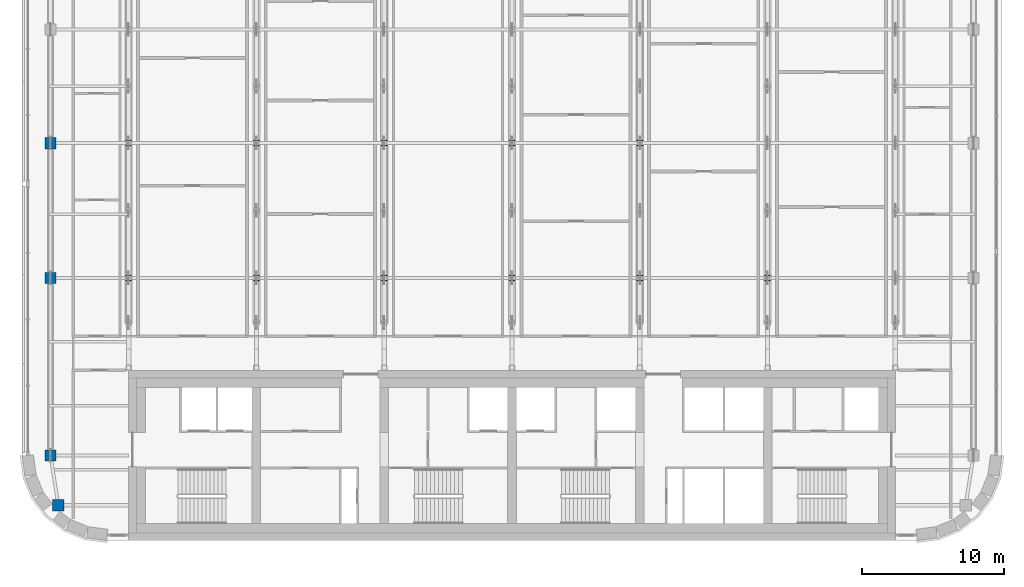
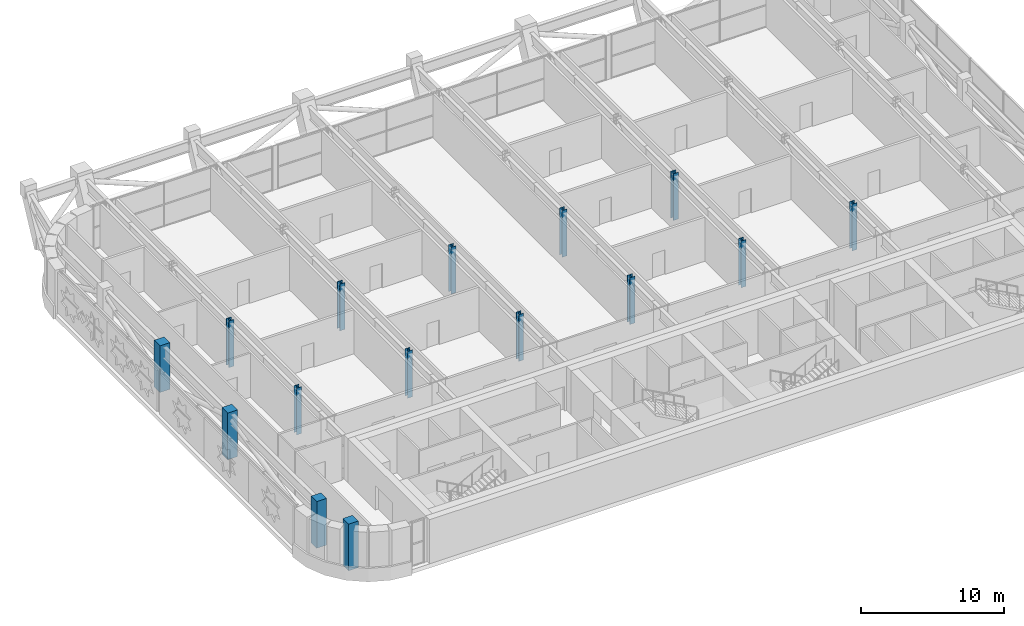
# One storey, part 1 of 28: 15 columns.
"""IFC4 building model written with IfcOpenShell, lengths in metres."""

from ifc_helpers import new_model, si_unit, direction, frame, origin, origin_2d, place, context, subcontext, project, spatial, rectangle, i_section, extrude, material, material_profile, profile_set, type_object, element, save


model = new_model("IFC4")

# Units and contexts
model_context = context("Model", 3, precision=1e-05, world=origin(), true_north=direction((0.0, 1.0)))
body_context = subcontext(model_context, "Body", "Model", "MODEL_VIEW")
ifc_project = project(units=[si_unit("LENGTHUNIT", "METRE"), si_unit("AREAUNIT", "SQUARE_METRE"), si_unit("VOLUMEUNIT", "CUBIC_METRE"), si_unit("PLANEANGLEUNIT", "RADIAN"), si_unit("MASSUNIT", "GRAM", prefix="KILO")], contexts=[model_context])

# Site, building, storey
site_placement = place(None, origin())
site = spatial("IfcSite", under=ifc_project, at=site_placement, CompositionType="ELEMENT")
building_placement = place(site_placement, origin())
building = spatial("IfcBuilding", under=site, at=building_placement, Name="Zellij Exchange Tower", CompositionType="ELEMENT")
storey_placement = place(building_placement, frame((0.0, 0.0, 268.5)))
storey = spatial("IfcBuildingStorey", under=building, at=storey_placement, Name="L63", CompositionType="ELEMENT", Elevation=268.5)

# Columns
ifc_material_1 = material(Name="Concrete C50/60", Category="concrete")
ifc_material_profile_1 = material_profile(ifc_material_1, rectangle(XDim=0.800048828125, YDim=0.800048828125, at=origin_2d()), Name="STR-COLUMN RC800x800 C50/60")
ifc_profile_set_1 = profile_set([ifc_material_profile_1], Name="Concrete C50/60")
column_type_1 = type_object("IfcColumnType", Name="STR-COLUMN RC800x800 C50/60", PredefinedType="COLUMN", material=ifc_profile_set_1)
for number, where, z_axis, x_axis, name in (
    (1, (-31.949951171875, -11.5, 0.0), (0.0, 0.0, 1.0), (1.0, 0.0, 0.0), "C15"),
    (2, (-32.5, -8.0, 0.0), (0.0, 0.0, 1.0), (1.0, 0.0, 0.0), "C15"),
    (3, (-32.5, 4.5, 0.0), (0.0, 0.0, 1.0), (1.0, 0.0, 0.0), "C15"),
    (4, (-32.5, 14.0, 0.0), (0.0, 0.0, 1.0), (1.0, 0.0, 0.0), "C15"),
):
    element("IfcColumn", number, at=place(storey_placement, frame(where, z_axis=z_axis, x_axis=x_axis)), inside=storey, type_object=column_type_1, Name=name, PredefinedType="COLUMN", context=body_context, shape_type="SweptSolid", body=[
        extrude(rectangle(XDim=0.800048828125, YDim=0.800048828125, at=origin_2d()), origin(), (0.0, 0.0, 1.0), 4.0),
    ])
ifc_material_2 = material(Name="Structural steel ASTM A992 Gr 50", Category="steel")
ifc_material_profile_2 = material_profile(ifc_material_2, i_section(OverallWidth=0.398681640625, OverallDepth=0.385986328125, WebThickness=0.02099609375, FlangeThickness=0.033203125, at=origin_2d()), Name="W14x176")
ifc_profile_set_2 = profile_set([ifc_material_profile_2], Name="Structural steel ASTM A992 Gr 50")
column_type_2 = type_object("IfcColumnType", Name="STR-COLUMN W14x176", PredefinedType="COLUMN", material=ifc_profile_set_2)
for number, where, z_axis, x_axis, name in (
    (5, (-27.0, 4.5, 0.0), (0.0, 0.0, 1.0), (1.0, 0.0, 0.0), "C2"),
    (6, (-18.0, 4.5, 0.0), (0.0, 0.0, 1.0), (1.0, 0.0, 0.0), "C2"),
    (7, (-9.0, 4.5, 0.0), (0.0, 0.0, 1.0), (1.0, 0.0, 0.0), "C2"),
    (8, (0.0, 4.5, 0.0), (0.0, 0.0, 1.0), (1.0, 0.0, 0.0), "C2"),
    (9, (9.0, 4.5, 0.0), (0.0, 0.0, 1.0), (1.0, 0.0, 0.0), "C2"),
    (10, (18.0, 4.5, 0.0), (0.0, 0.0, 1.0), (1.0, 0.0, 0.0), "C2"),
    (11, (-27.0, 14.0, 0.0), (0.0, 0.0, 1.0), (1.0, 0.0, 0.0), "C2"),
    (12, (-18.0, 14.0, 0.0), (0.0, 0.0, 1.0), (1.0, 0.0, 0.0), "C2"),
    (13, (-9.0, 14.0, 0.0), (0.0, 0.0, 1.0), (1.0, 0.0, 0.0), "C2"),
    (14, (0.0, 14.0, 0.0), (0.0, 0.0, 1.0), (1.0, 0.0, 0.0), "C2"),
    (15, (9.0, 14.0, 0.0), (0.0, 0.0, 1.0), (1.0, 0.0, 0.0), "C2"),
):
    element("IfcColumn", number, at=place(storey_placement, frame(where, z_axis=z_axis, x_axis=x_axis)), inside=storey, type_object=column_type_2, Name=name, PredefinedType="COLUMN", context=body_context, shape_type="SweptSolid", body=[
        extrude(i_section(OverallWidth=0.398681640625, OverallDepth=0.385986328125, WebThickness=0.02099609375, FlangeThickness=0.033203125, at=origin_2d()), origin(), (0.0, 0.0, 1.0), 4.0),
    ])

save(model, "model.ifc")
